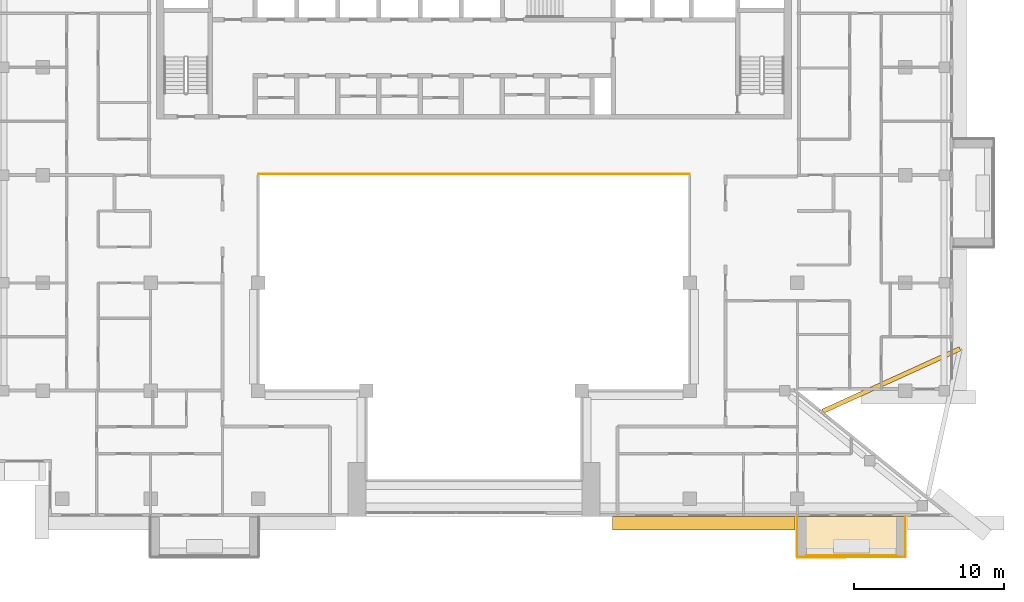
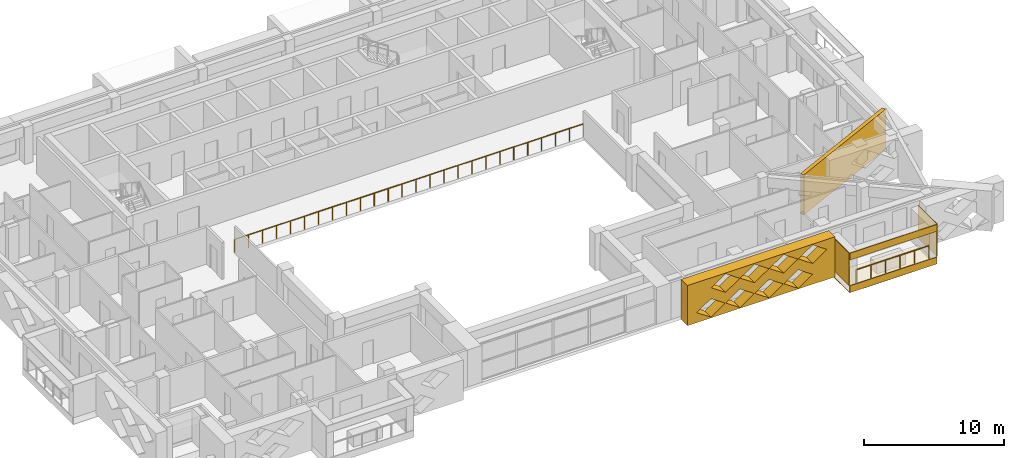
# One storey, part 15 of 19: 7 coverings, 2 railings.
"""IFC4 building model written with IfcOpenShell, lengths in metres."""

from ifc_helpers import new_model, si_unit, direction, frame, origin, origin_2d, place, context, subcontext, project, spatial, polyline, circle, outline, extrude, material, layer, layer_set, type_object, element, save


model = new_model("IFC4")

# Units and contexts
model_context = context("Model", 3, precision=1e-05, world=origin(), true_north=direction((0.0, 1.0)))
body_context = subcontext(model_context, "Body", "Model", "MODEL_VIEW")
ifc_project = project(units=[si_unit("LENGTHUNIT", "METRE"), si_unit("AREAUNIT", "SQUARE_METRE"), si_unit("VOLUMEUNIT", "CUBIC_METRE"), si_unit("PLANEANGLEUNIT", "RADIAN"), si_unit("MASSUNIT", "GRAM", prefix="KILO")], contexts=[model_context])

# Site, building, storey
site_placement = place(None, origin())
site = spatial("IfcSite", under=ifc_project, at=site_placement, CompositionType="ELEMENT")
building_placement = place(site_placement, origin())
building = spatial("IfcBuilding", under=site, at=building_placement, Name="Saffron Iwan Residences", CompositionType="ELEMENT")
storey_placement = place(building_placement, frame((0.0, 0.0, 222.0)))
storey = spatial("IfcBuildingStorey", under=building, at=storey_placement, Name="L59", CompositionType="ELEMENT", Elevation=222.0)

# Railings
ifc_material_1 = material(Name="Stainless steel 316", Category="steel")
railing_type_1 = type_object("IfcRailingType", Name="Atrium guard 1150", PredefinedType="GUARDRAIL", material=ifc_material_1)
railing_1_placement = place(storey_placement, frame((36.0, 62.47509765625, 0.0)))
element("IfcRailing", 1, at=railing_1_placement, inside=storey, type_object=railing_type_1, Name="Atrium guard L59", PredefinedType="GUARDRAIL", context=body_context, shape_type="SweptSolid", body=[
    extrude(circle(Radius=0.02392578125, at=origin_2d()), frame((0.0, 0.0, 1.1259765625), z_axis=(1.0, 0.0, 0.0), x_axis=(0.0, 1.0, 0.0)), (0.0, 0.0, 1.0), 28.800048828125),
    extrude(circle(Radius=0.02099609375, at=origin_2d()), origin(), (0.0, 0.0, 1.0), 1.101806640625),
    extrude(circle(Radius=0.02099609375, at=origin_2d()), frame((1.152099609375, 0.0, 0.0)), (0.0, 0.0, 1.0), 1.101806640625),
    extrude(circle(Radius=0.02099609375, at=origin_2d()), frame((2.303955078125, 0.0, 0.0)), (0.0, 0.0, 1.0), 1.101806640625),
    extrude(circle(Radius=0.02099609375, at=origin_2d()), frame((3.4560546875, 0.0, 0.0)), (0.0, 0.0, 1.0), 1.101806640625),
    extrude(circle(Radius=0.02099609375, at=origin_2d()), frame((4.60791015625, 0.0, 0.0)), (0.0, 0.0, 1.0), 1.101806640625),
    extrude(circle(Radius=0.02099609375, at=origin_2d()), frame((5.760009765625, 0.0, 0.0)), (0.0, 0.0, 1.0), 1.101806640625),
    extrude(circle(Radius=0.02099609375, at=origin_2d()), frame((6.912109375, 0.0, 0.0)), (0.0, 0.0, 1.0), 1.101806640625),
    extrude(circle(Radius=0.02099609375, at=origin_2d()), frame((8.06396484375, 0.0, 0.0)), (0.0, 0.0, 1.0), 1.101806640625),
    extrude(circle(Radius=0.02099609375, at=origin_2d()), frame((9.216064453125, 0.0, 0.0)), (0.0, 0.0, 1.0), 1.101806640625),
    extrude(circle(Radius=0.02099609375, at=origin_2d()), frame((10.367919921875, 0.0, 0.0)), (0.0, 0.0, 1.0), 1.101806640625),
    extrude(circle(Radius=0.02099609375, at=origin_2d()), frame((11.52001953125, 0.0, 0.0)), (0.0, 0.0, 1.0), 1.101806640625),
    extrude(circle(Radius=0.02099609375, at=origin_2d()), frame((12.672119140625, 0.0, 0.0)), (0.0, 0.0, 1.0), 1.101806640625),
    extrude(circle(Radius=0.02099609375, at=origin_2d()), frame((13.823974609375, 0.0, 0.0)), (0.0, 0.0, 1.0), 1.101806640625),
    extrude(circle(Radius=0.02099609375, at=origin_2d()), frame((14.97607421875, 0.0, 0.0)), (0.0, 0.0, 1.0), 1.101806640625),
    extrude(circle(Radius=0.02099609375, at=origin_2d()), frame((16.1279296875, 0.0, 0.0)), (0.0, 0.0, 1.0), 1.101806640625),
    extrude(circle(Radius=0.02099609375, at=origin_2d()), frame((17.280029296875, 0.0, 0.0)), (0.0, 0.0, 1.0), 1.101806640625),
    extrude(circle(Radius=0.02099609375, at=origin_2d()), frame((18.43212890625, 0.0, 0.0)), (0.0, 0.0, 1.0), 1.101806640625),
    extrude(circle(Radius=0.02099609375, at=origin_2d()), frame((19.583984375, 0.0, 0.0)), (0.0, 0.0, 1.0), 1.101806640625),
    extrude(circle(Radius=0.02099609375, at=origin_2d()), frame((20.736083984375, 0.0, 0.0)), (0.0, 0.0, 1.0), 1.101806640625),
    extrude(circle(Radius=0.02099609375, at=origin_2d()), frame((21.887939453125, 0.0, 0.0)), (0.0, 0.0, 1.0), 1.101806640625),
    extrude(circle(Radius=0.02099609375, at=origin_2d()), frame((23.0400390625, 0.0, 0.0)), (0.0, 0.0, 1.0), 1.101806640625),
    extrude(circle(Radius=0.02099609375, at=origin_2d()), frame((24.192138671875, 0.0, 0.0)), (0.0, 0.0, 1.0), 1.101806640625),
    extrude(circle(Radius=0.02099609375, at=origin_2d()), frame((25.343994140625, 0.0, 0.0)), (0.0, 0.0, 1.0), 1.101806640625),
    extrude(circle(Radius=0.02099609375, at=origin_2d()), frame((26.49609375, 0.0, 0.0)), (0.0, 0.0, 1.0), 1.101806640625),
    extrude(circle(Radius=0.02099609375, at=origin_2d()), frame((27.64794921875, 0.0, 0.0)), (0.0, 0.0, 1.0), 1.101806640625),
    extrude(circle(Radius=0.02099609375, at=origin_2d()), frame((28.800048828125, 0.0, 0.0)), (0.0, 0.0, 1.0), 1.101806640625),
])
railing_type_2 = type_object("IfcRailingType", Name="BALCONY GUARD 1150", PredefinedType="GUARDRAIL", material=ifc_material_1)
railing_2_placement = place(storey_placement, frame((72.60009765625, 36.97509765625, 0.0)))
element("IfcRailing", 2, at=railing_2_placement, inside=storey, type_object=railing_type_2, Name="Balcony guard L59 11-1", PredefinedType="GUARDRAIL", context=body_context, shape_type="SweptSolid", body=[
    extrude(circle(Radius=0.02392578125, at=origin_2d()), frame((0.0, 0.0, 1.1259765625), z_axis=(1.0, 0.0, 0.0), x_axis=(0.0, 1.0, 0.0)), (0.0, 0.0, 1.0), 6.0),
    extrude(circle(Radius=0.02099609375, at=origin_2d()), origin(), (0.0, 0.0, 1.0), 1.101806640625),
    extrude(circle(Radius=0.02099609375, at=origin_2d()), frame((1.199951171875, 0.0, 0.0)), (0.0, 0.0, 1.0), 1.101806640625),
    extrude(circle(Radius=0.02099609375, at=origin_2d()), frame((2.39990234375, 0.0, 0.0)), (0.0, 0.0, 1.0), 1.101806640625),
    extrude(circle(Radius=0.02099609375, at=origin_2d()), frame((3.60009765625, 0.0, 0.0)), (0.0, 0.0, 1.0), 1.101806640625),
    extrude(circle(Radius=0.02099609375, at=origin_2d()), frame((4.800048828125, 0.0, 0.0)), (0.0, 0.0, 1.0), 1.101806640625),
    extrude(circle(Radius=0.02099609375, at=origin_2d()), frame((6.0, 0.0, 0.0)), (0.0, 0.0, 1.0), 1.101806640625),
])

# Coverings
ifc_material_2 = material(Name="Precast concrete C40/50 white painted", Category="concrete")
ifc_layer_1 = layer(ifc_material_2, 0.050048828125)
ifc_layer_set_1 = layer_set([ifc_layer_1], Name="Precast concrete C40/50 white painted")
covering_type_1 = type_object("IfcCoveringType", Name="FRAME SKIN PRECAST WHITE 50", PredefinedType="CLADDING", material=ifc_layer_set_1)
for number, where, name in (
    (3, (0.0, 0.0, -0.60009765625), "Frame skin slab edge L59 11-1"),
    (4, (0.0, 0.0, 2.25), "Frame skin fascia L59 11-1"),
):
    element("IfcCovering", number, at=place(storey_placement, frame(where)), inside=storey, type_object=covering_type_1, Name=name, PredefinedType="CLADDING", context=body_context, shape_type="SweptSolid", body=[
        extrude(outline(polyline([(72.0, 36.85009765625), (79.199951171875, 36.85009765625), (79.199951171875, 36.89990234375), (72.0, 36.89990234375), (72.0, 36.85009765625)])), origin(), (0.0, 0.0, 1.0), 0.60009765625),
    ])
covering_1_placement = place(storey_placement, frame((0.0, 0.0, -0.64990234375)))
element("IfcCovering", 5, at=covering_1_placement, inside=storey, type_object=covering_type_1, Name="Frame skin soffit L59 11-1", PredefinedType="CLADDING", context=body_context, shape_type="SweptSolid", body=[
    extrude(outline(polyline([(72.0, 36.89990234375), (79.199951171875, 36.89990234375), (79.199951171875, 39.60009765625), (72.0, 39.60009765625), (72.0, 36.89990234375)])), origin(), (0.0, 0.0, 1.0), 0.0498046875),
])
covering_2_placement = place(storey_placement, origin())
element("IfcCovering", 6, at=covering_2_placement, inside=storey, type_object=covering_type_1, Name="Frame skin fin L59 11-1a", PredefinedType="CLADDING", context=body_context, shape_type="SweptSolid", body=[
    extrude(outline(polyline([(71.949951171875, 36.89990234375), (72.0, 36.89990234375), (72.0, 39.60009765625), (71.949951171875, 39.60009765625), (71.949951171875, 36.89990234375)])), origin(), (0.0, 0.0, 1.0), 2.85009765625),
])
covering_3_placement = place(storey_placement, origin())
element("IfcCovering", 7, at=covering_3_placement, inside=storey, type_object=covering_type_1, Name="Frame skin fin L59 11-1b", PredefinedType="CLADDING", context=body_context, shape_type="SweptSolid", body=[
    extrude(outline(polyline([(79.199951171875, 36.89990234375), (79.25, 36.89990234375), (79.25, 39.60009765625), (79.199951171875, 39.60009765625), (79.199951171875, 36.89990234375)])), origin(), (0.0, 0.0, 1.0), 2.85009765625),
])
ifc_material_3 = material(Name="Precast concrete C40/50", Category="concrete")
covering_type_2 = type_object("IfcCoveringType", Name="OUTER SKIN LATTICE SCREEN", PredefinedType="CLADDING", material=ifc_material_3)
covering_4_placement = place(storey_placement, frame((59.64990234375, 39.60009765625, -0.280029296875), z_axis=(0.0, -1.0, 0.0), x_axis=(1.0, 0.0, 0.0)))
element("IfcCovering", 8, at=covering_4_placement, inside=storey, type_object=covering_type_2, Name="OUTER SKIN lattice screen L59 F11.2", PredefinedType="CLADDING", context=body_context, shape_type="SweptSolid", body=[
    extrude(outline(polyline([(0.0, 0.0), (12.199951171875, 0.0), (12.199951171875, 3.5), (0.0, 3.5), (0.0, 0.0)]), holes=[polyline([(0.77001953125, 0.875), (1.949951171875, 0.06005859375), (3.1298828125, 0.875), (1.949951171875, 1.68994140625), (0.77001953125, 0.875)]), polyline([(3.169921875, 0.875), (4.35009765625, 0.06005859375), (5.530029296875, 0.875), (4.35009765625, 1.68994140625), (3.169921875, 0.875)]), polyline([(5.570068359375, 0.875), (6.75, 0.06005859375), (7.929931640625, 0.875), (6.75, 1.68994140625), (5.570068359375, 0.875)]), polyline([(7.969970703125, 0.875), (9.14990234375, 0.06005859375), (10.330078125, 0.875), (9.14990234375, 1.68994140625), (7.969970703125, 0.875)]), polyline([(1.969970703125, 2.625), (3.14990234375, 1.81005859375), (4.330078125, 2.625), (3.14990234375, 3.43994140625), (1.969970703125, 2.625)]), polyline([(4.3701171875, 2.625), (5.550048828125, 1.81005859375), (6.72998046875, 2.625), (5.550048828125, 3.43994140625), (4.3701171875, 2.625)]), polyline([(6.77001953125, 2.625), (7.949951171875, 1.81005859375), (9.1298828125, 2.625), (7.949951171875, 3.43994140625), (6.77001953125, 2.625)]), polyline([(9.169921875, 2.625), (10.35009765625, 1.81005859375), (11.530029296875, 2.625), (10.35009765625, 3.43994140625), (9.169921875, 2.625)])]), origin(), (0.0, 0.0, 1.0), 0.900146484375),
])
ifc_layer_2 = layer(ifc_material_2, 0.300048828125)
ifc_layer_set_2 = layer_set([ifc_layer_2], Name="Precast concrete C40/50 white painted")
covering_type_3 = type_object("IfcCoveringType", Name="PROW NOSE BLADE PRECAST WHITE", PredefinedType="CLADDING", material=ifc_layer_set_2)
covering_5_placement = place(storey_placement, frame((0.0, 0.0, -0.280029296875)))
element("IfcCovering", 9, at=covering_5_placement, inside=storey, type_object=covering_type_3, Name="Prow nose blade L59 b", PredefinedType="CLADDING", context=body_context, shape_type="SweptSolid", body=[
    extrude(outline(polyline([(73.761474609375, 46.490966796875), (82.917236328125, 50.6650390625), (82.792724609375, 50.93798828125), (73.636962890625, 46.763916015625), (73.761474609375, 46.490966796875)])), origin(), (0.0, 0.0, 1.0), 3.5),
])

save(model, "model.ifc")
